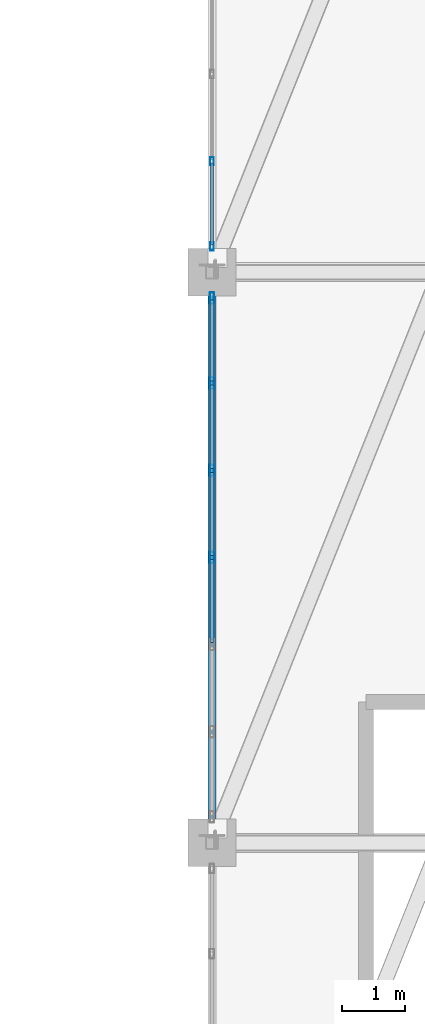
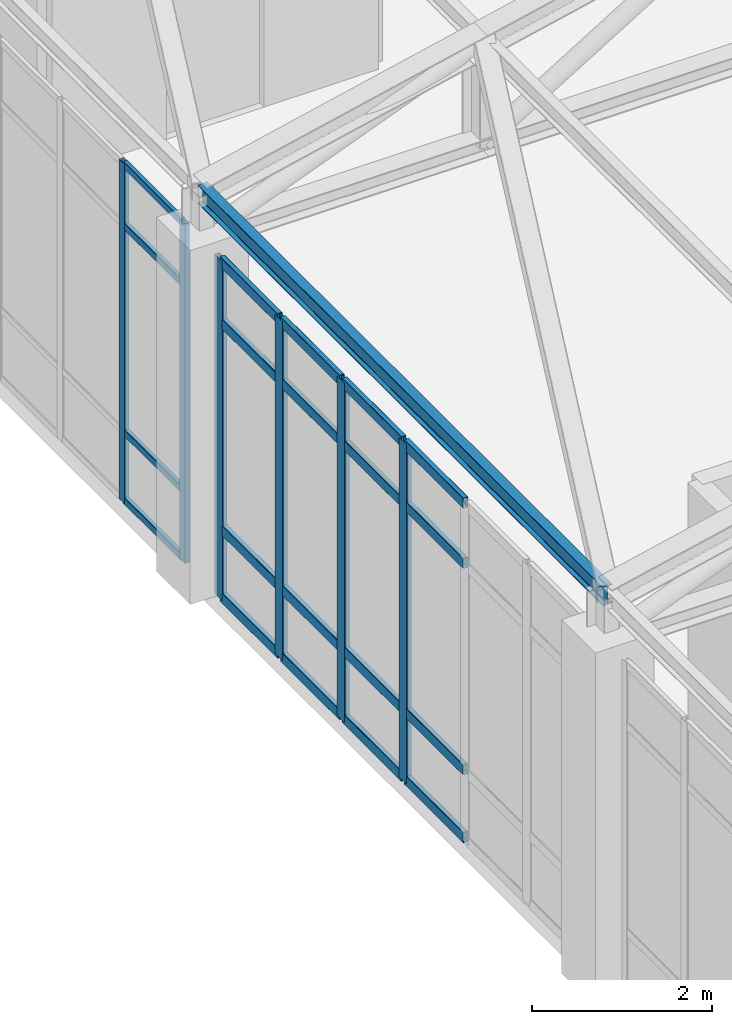
# One storey, part 18 of 139: 27 members, 2 elements without a shape of their own.
"""IFC4 building model written with IfcOpenShell, lengths in metres."""

from ifc_helpers import new_model, si_unit, direction, frame, origin, origin_2d, place, context, subcontext, project, spatial, hollow_rectangle, i_section, extrude, material, material_profile, profile_set, type_object, element, aggregate, save


model = new_model("IFC4")

# Units and contexts
model_context = context("Model", 3, precision=1e-05, world=origin(), true_north=direction((0.0, 1.0)))
body_context = subcontext(model_context, "Body", "Model", "MODEL_VIEW")
ifc_project = project(units=[si_unit("LENGTHUNIT", "METRE"), si_unit("AREAUNIT", "SQUARE_METRE"), si_unit("VOLUMEUNIT", "CUBIC_METRE"), si_unit("PLANEANGLEUNIT", "RADIAN"), si_unit("MASSUNIT", "GRAM", prefix="KILO")], contexts=[model_context])

# Site, building, storey
site_placement = place(None, origin())
site = spatial("IfcSite", under=ifc_project, at=site_placement, CompositionType="ELEMENT")
building_placement = place(site_placement, origin())
building = spatial("IfcBuilding", under=site, at=building_placement, Name="Canglan Escarpment Cableway Terminal", CompositionType="ELEMENT")
storey_placement = place(building_placement, frame((0.0, 0.0, 14.39990234375)))
storey = spatial("IfcBuildingStorey", under=building, at=storey_placement, Name="L03", CompositionType="ELEMENT", Elevation=14.39990234375)

# Curtain wall, members
ifc_material_1 = material(Name="Anodized bronze aluminium and Low-E double glazing", Category="aluminium")
curtain_wall_type = type_object("IfcCurtainWallType", Name="CW-BAY-8250x4600", PredefinedType="NOTDEFINED", material=ifc_material_1)
curtain_wall_1_placement = place(storey_placement, origin())
curtain_wall_1 = element("IfcCurtainWall", 1, at=curtain_wall_1_placement, inside=storey, type_object=curtain_wall_type, Name="Classical bay-between-piers glazed curtain wall CW-46", PredefinedType="NOTDEFINED")
ifc_material_2 = material(Name="Thermally broken anodized aluminium 6063-T6", Category="aluminium")
ifc_material_profile_1 = material_profile(ifc_material_2, hollow_rectangle(XDim=0.06005859375, YDim=0.1298828125, WallThickness=0.0029296875, InnerFilletRadius=0.0029296875, OuterFilletRadius=0.006103515625, at=origin_2d()), Name="ALU-MULL 60x130x3")
ifc_profile_set_1 = profile_set([ifc_material_profile_1], Name="Thermally broken anodized aluminium 6063-T6")
member_type_1 = type_object("IfcMemberType", Name="CWM-01", PredefinedType="MULLION", material=ifc_profile_set_1)
member_1_placement = place(storey_placement, frame((115.10009765625, 62.75, 0.0), z_axis=(0.0, 0.0, 1.0), x_axis=(1.0, 0.0, 0.0)))
member_1 = element("IfcMember", 2, at=member_1_placement, type_object=member_type_1, Name="CW-46 mullion 6", PredefinedType="MULLION", context=body_context, shape_type="SweptSolid", body=[
    extrude(hollow_rectangle(XDim=0.06005859375, YDim=0.1298828125, WallThickness=0.0029296875, InnerFilletRadius=0.0029296875, OuterFilletRadius=0.006103515625, at=origin_2d()), origin(), (0.0, 0.0, 1.0), 4.60009765625),
])
member_2_placement = place(storey_placement, frame((115.10009765625, 61.405029296875, 0.0), z_axis=(0.0, 0.0, 1.0), x_axis=(1.0, 0.0, 0.0)))
member_2 = element("IfcMember", 3, at=member_2_placement, type_object=member_type_1, Name="CW-46 mullion 7", PredefinedType="MULLION", context=body_context, shape_type="SweptSolid", body=[
    extrude(hollow_rectangle(XDim=0.06005859375, YDim=0.1298828125, WallThickness=0.0029296875, InnerFilletRadius=0.0029296875, OuterFilletRadius=0.006103515625, at=origin_2d()), origin(), (0.0, 0.0, 1.0), 4.60009765625),
])

curtain_wall_2_placement = place(storey_placement, origin())
curtain_wall_2 = element("IfcCurtainWall", 4, at=curtain_wall_2_placement, inside=storey, type_object=curtain_wall_type, Name="Classical bay-between-piers glazed curtain wall CW-46", PredefinedType="NOTDEFINED")
ifc_material_profile_2 = material_profile(ifc_material_2, hollow_rectangle(XDim=0.06494140625, YDim=0.179931640625, WallThickness=0.00390625, InnerFilletRadius=0.00390625, OuterFilletRadius=0.008056640625, at=origin_2d()), Name="ALU-MULL 65x180x4")
ifc_profile_set_2 = profile_set([ifc_material_profile_2], Name="Thermally broken anodized aluminium 6063-T6")
member_type_2 = type_object("IfcMemberType", Name="CWM-03", PredefinedType="MULLION", material=ifc_profile_set_2)
member_3_placement = place(storey_placement, frame((115.10009765625, 60.592529296875, 0.0), z_axis=(0.0, 0.0, 1.0), x_axis=(1.0, 0.0, 0.0)))
member_3 = element("IfcMember", 5, at=member_3_placement, type_object=member_type_2, Name="CW-46 mullion 1", PredefinedType="MULLION", context=body_context, shape_type="SweptSolid", body=[
    extrude(hollow_rectangle(XDim=0.06494140625, YDim=0.179931640625, WallThickness=0.00390625, InnerFilletRadius=0.00390625, OuterFilletRadius=0.008056640625, at=origin_2d()), origin(), (0.0, 0.0, 1.0), 4.60009765625),
])
member_4_placement = place(storey_placement, frame((115.10009765625, 59.25, 0.0), z_axis=(0.0, 0.0, 1.0), x_axis=(1.0, 0.0, 0.0)))
member_4 = element("IfcMember", 6, at=member_4_placement, type_object=member_type_2, Name="CW-46 mullion 2", PredefinedType="MULLION", context=body_context, shape_type="SweptSolid", body=[
    extrude(hollow_rectangle(XDim=0.06494140625, YDim=0.179931640625, WallThickness=0.00390625, InnerFilletRadius=0.00390625, OuterFilletRadius=0.008056640625, at=origin_2d()), origin(), (0.0, 0.0, 1.0), 4.60009765625),
])
member_5_placement = place(storey_placement, frame((115.10009765625, 57.875, 0.0), z_axis=(0.0, 0.0, 1.0), x_axis=(1.0, 0.0, 0.0)))
member_5 = element("IfcMember", 7, at=member_5_placement, type_object=member_type_2, Name="CW-46 mullion 3", PredefinedType="MULLION", context=body_context, shape_type="SweptSolid", body=[
    extrude(hollow_rectangle(XDim=0.06494140625, YDim=0.179931640625, WallThickness=0.00390625, InnerFilletRadius=0.00390625, OuterFilletRadius=0.008056640625, at=origin_2d()), origin(), (0.0, 0.0, 1.0), 4.60009765625),
])
member_6_placement = place(storey_placement, frame((115.10009765625, 56.5, 0.0), z_axis=(0.0, 0.0, 1.0), x_axis=(1.0, 0.0, 0.0)))
member_6 = element("IfcMember", 8, at=member_6_placement, type_object=member_type_2, Name="CW-46 mullion 4", PredefinedType="MULLION", context=body_context, shape_type="SweptSolid", body=[
    extrude(hollow_rectangle(XDim=0.06494140625, YDim=0.179931640625, WallThickness=0.00390625, InnerFilletRadius=0.00390625, OuterFilletRadius=0.008056640625, at=origin_2d()), origin(), (0.0, 0.0, 1.0), 4.60009765625),
])

# Member
ifc_material_profile_3 = material_profile(ifc_material_2, hollow_rectangle(XDim=0.054931640625, YDim=0.094970703125, WallThickness=0.0029296875, InnerFilletRadius=0.0029296875, OuterFilletRadius=0.006103515625, at=origin_2d()), Name="ALU-TRAN 55x95x3")
ifc_profile_set_3 = profile_set([ifc_material_profile_3], Name="Thermally broken anodized aluminium 6063-T6")
member_type_3 = type_object("IfcMemberType", Name="CWT-01", PredefinedType="USERDEFINED", material=ifc_profile_set_3)
member_7_placement = place(storey_placement, frame((115.10009765625, 62.719970703125, 0.027587890625), z_axis=(0.0, -1.0, 0.0), x_axis=(1.0, 0.0, 0.0)))
member_7 = element("IfcMember", 9, at=member_7_placement, type_object=member_type_3, Name="CW-46 transom 6.1", ObjectType="TRANSOM", PredefinedType="USERDEFINED", context=body_context, shape_type="SweptSolid", body=[
    extrude(hollow_rectangle(XDim=0.054931640625, YDim=0.094970703125, WallThickness=0.0029296875, InnerFilletRadius=0.0029296875, OuterFilletRadius=0.006103515625, at=origin_2d()), origin(), (0.0, 0.0, 1.0), 1.284912109375),
])

member_8_placement = place(storey_placement, frame((115.10009765625, 62.719970703125, 0.9501953125), z_axis=(0.0, -1.0, 0.0), x_axis=(1.0, 0.0, 0.0)))
member_8 = element("IfcMember", 10, at=member_8_placement, type_object=member_type_3, Name="CW-46 transom 6.2", ObjectType="TRANSOM", PredefinedType="USERDEFINED", context=body_context, shape_type="SweptSolid", body=[
    extrude(hollow_rectangle(XDim=0.054931640625, YDim=0.094970703125, WallThickness=0.0029296875, InnerFilletRadius=0.0029296875, OuterFilletRadius=0.006103515625, at=origin_2d()), origin(), (0.0, 0.0, 1.0), 1.284912109375),
])

member_9_placement = place(storey_placement, frame((115.10009765625, 62.719970703125, 3.75), z_axis=(0.0, -1.0, 0.0), x_axis=(1.0, 0.0, 0.0)))
member_9 = element("IfcMember", 11, at=member_9_placement, type_object=member_type_3, Name="CW-46 transom 6.3", ObjectType="TRANSOM", PredefinedType="USERDEFINED", context=body_context, shape_type="SweptSolid", body=[
    extrude(hollow_rectangle(XDim=0.054931640625, YDim=0.094970703125, WallThickness=0.0029296875, InnerFilletRadius=0.0029296875, OuterFilletRadius=0.006103515625, at=origin_2d()), origin(), (0.0, 0.0, 1.0), 1.284912109375),
])

member_10_placement = place(storey_placement, frame((115.10009765625, 62.719970703125, 4.572509765625), z_axis=(0.0, -1.0, 0.0), x_axis=(1.0, 0.0, 0.0)))
member_10 = element("IfcMember", 12, at=member_10_placement, type_object=member_type_3, Name="CW-46 transom 6.4", ObjectType="TRANSOM", PredefinedType="USERDEFINED", context=body_context, shape_type="SweptSolid", body=[
    extrude(hollow_rectangle(XDim=0.054931640625, YDim=0.094970703125, WallThickness=0.0029296875, InnerFilletRadius=0.0029296875, OuterFilletRadius=0.006103515625, at=origin_2d()), origin(), (0.0, 0.0, 1.0), 1.284912109375),
])

aggregate(curtain_wall_1, [member_1, member_2, member_7, member_8, member_9, member_10])

ifc_material_profile_4 = material_profile(ifc_material_2, hollow_rectangle(XDim=0.06494140625, YDim=0.139892578125, WallThickness=0.00341796875, InnerFilletRadius=0.00341796875, OuterFilletRadius=0.007080078125, at=origin_2d()), Name="ALU-TRAN 65x140x3.5")
ifc_profile_set_4 = profile_set([ifc_material_profile_4], Name="Thermally broken anodized aluminium 6063-T6")
member_type_4 = type_object("IfcMemberType", Name="CWT-03", PredefinedType="USERDEFINED", material=ifc_profile_set_4)
member_11_placement = place(storey_placement, frame((115.10009765625, 60.56005859375, 0.03271484375), z_axis=(0.0, -1.0, 0.0), x_axis=(1.0, 0.0, 0.0)))
member_11 = element("IfcMember", 13, at=member_11_placement, type_object=member_type_4, Name="CW-46 transom 1.1", ObjectType="TRANSOM", PredefinedType="USERDEFINED", context=body_context, shape_type="SweptSolid", body=[
    extrude(hollow_rectangle(XDim=0.06494140625, YDim=0.139892578125, WallThickness=0.00341796875, InnerFilletRadius=0.00341796875, OuterFilletRadius=0.007080078125, at=origin_2d()), origin(), (0.0, 0.0, 1.0), 1.277587890625),
])

member_12_placement = place(storey_placement, frame((115.10009765625, 60.56005859375, 0.9501953125), z_axis=(0.0, -1.0, 0.0), x_axis=(1.0, 0.0, 0.0)))
member_12 = element("IfcMember", 14, at=member_12_placement, type_object=member_type_4, Name="CW-46 transom 1.2", ObjectType="TRANSOM", PredefinedType="USERDEFINED", context=body_context, shape_type="SweptSolid", body=[
    extrude(hollow_rectangle(XDim=0.06494140625, YDim=0.139892578125, WallThickness=0.00341796875, InnerFilletRadius=0.00341796875, OuterFilletRadius=0.007080078125, at=origin_2d()), origin(), (0.0, 0.0, 1.0), 1.277587890625),
])

member_13_placement = place(storey_placement, frame((115.10009765625, 60.56005859375, 3.75), z_axis=(0.0, -1.0, 0.0), x_axis=(1.0, 0.0, 0.0)))
member_13 = element("IfcMember", 15, at=member_13_placement, type_object=member_type_4, Name="CW-46 transom 1.3", ObjectType="TRANSOM", PredefinedType="USERDEFINED", context=body_context, shape_type="SweptSolid", body=[
    extrude(hollow_rectangle(XDim=0.06494140625, YDim=0.139892578125, WallThickness=0.00341796875, InnerFilletRadius=0.00341796875, OuterFilletRadius=0.007080078125, at=origin_2d()), origin(), (0.0, 0.0, 1.0), 1.277587890625),
])

member_14_placement = place(storey_placement, frame((115.10009765625, 60.56005859375, 4.567626953125), z_axis=(0.0, -1.0, 0.0), x_axis=(1.0, 0.0, 0.0)))
member_14 = element("IfcMember", 16, at=member_14_placement, type_object=member_type_4, Name="CW-46 transom 1.4", ObjectType="TRANSOM", PredefinedType="USERDEFINED", context=body_context, shape_type="SweptSolid", body=[
    extrude(hollow_rectangle(XDim=0.06494140625, YDim=0.139892578125, WallThickness=0.00341796875, InnerFilletRadius=0.00341796875, OuterFilletRadius=0.007080078125, at=origin_2d()), origin(), (0.0, 0.0, 1.0), 1.277587890625),
])

member_15_placement = place(storey_placement, frame((115.10009765625, 59.217529296875, 0.03271484375), z_axis=(0.0, -1.0, 0.0), x_axis=(1.0, 0.0, 0.0)))
member_15 = element("IfcMember", 17, at=member_15_placement, type_object=member_type_4, Name="CW-46 transom 2.1", ObjectType="TRANSOM", PredefinedType="USERDEFINED", context=body_context, shape_type="SweptSolid", body=[
    extrude(hollow_rectangle(XDim=0.06494140625, YDim=0.139892578125, WallThickness=0.00341796875, InnerFilletRadius=0.00341796875, OuterFilletRadius=0.007080078125, at=origin_2d()), origin(), (0.0, 0.0, 1.0), 1.31005859375),
])

member_16_placement = place(storey_placement, frame((115.10009765625, 59.217529296875, 0.9501953125), z_axis=(0.0, -1.0, 0.0), x_axis=(1.0, 0.0, 0.0)))
member_16 = element("IfcMember", 18, at=member_16_placement, type_object=member_type_4, Name="CW-46 transom 2.2", ObjectType="TRANSOM", PredefinedType="USERDEFINED", context=body_context, shape_type="SweptSolid", body=[
    extrude(hollow_rectangle(XDim=0.06494140625, YDim=0.139892578125, WallThickness=0.00341796875, InnerFilletRadius=0.00341796875, OuterFilletRadius=0.007080078125, at=origin_2d()), origin(), (0.0, 0.0, 1.0), 1.31005859375),
])

member_17_placement = place(storey_placement, frame((115.10009765625, 59.217529296875, 3.75), z_axis=(0.0, -1.0, 0.0), x_axis=(1.0, 0.0, 0.0)))
member_17 = element("IfcMember", 19, at=member_17_placement, type_object=member_type_4, Name="CW-46 transom 2.3", ObjectType="TRANSOM", PredefinedType="USERDEFINED", context=body_context, shape_type="SweptSolid", body=[
    extrude(hollow_rectangle(XDim=0.06494140625, YDim=0.139892578125, WallThickness=0.00341796875, InnerFilletRadius=0.00341796875, OuterFilletRadius=0.007080078125, at=origin_2d()), origin(), (0.0, 0.0, 1.0), 1.31005859375),
])

member_18_placement = place(storey_placement, frame((115.10009765625, 59.217529296875, 4.567626953125), z_axis=(0.0, -1.0, 0.0), x_axis=(1.0, 0.0, 0.0)))
member_18 = element("IfcMember", 20, at=member_18_placement, type_object=member_type_4, Name="CW-46 transom 2.4", ObjectType="TRANSOM", PredefinedType="USERDEFINED", context=body_context, shape_type="SweptSolid", body=[
    extrude(hollow_rectangle(XDim=0.06494140625, YDim=0.139892578125, WallThickness=0.00341796875, InnerFilletRadius=0.00341796875, OuterFilletRadius=0.007080078125, at=origin_2d()), origin(), (0.0, 0.0, 1.0), 1.31005859375),
])

member_19_placement = place(storey_placement, frame((115.10009765625, 57.842529296875, 0.03271484375), z_axis=(0.0, -1.0, 0.0), x_axis=(1.0, 0.0, 0.0)))
member_19 = element("IfcMember", 21, at=member_19_placement, type_object=member_type_4, Name="CW-46 transom 3.1", ObjectType="TRANSOM", PredefinedType="USERDEFINED", context=body_context, shape_type="SweptSolid", body=[
    extrude(hollow_rectangle(XDim=0.06494140625, YDim=0.139892578125, WallThickness=0.00341796875, InnerFilletRadius=0.00341796875, OuterFilletRadius=0.007080078125, at=origin_2d()), origin(), (0.0, 0.0, 1.0), 1.31005859375),
])

member_20_placement = place(storey_placement, frame((115.10009765625, 57.842529296875, 0.9501953125), z_axis=(0.0, -1.0, 0.0), x_axis=(1.0, 0.0, 0.0)))
member_20 = element("IfcMember", 22, at=member_20_placement, type_object=member_type_4, Name="CW-46 transom 3.2", ObjectType="TRANSOM", PredefinedType="USERDEFINED", context=body_context, shape_type="SweptSolid", body=[
    extrude(hollow_rectangle(XDim=0.06494140625, YDim=0.139892578125, WallThickness=0.00341796875, InnerFilletRadius=0.00341796875, OuterFilletRadius=0.007080078125, at=origin_2d()), origin(), (0.0, 0.0, 1.0), 1.31005859375),
])

member_21_placement = place(storey_placement, frame((115.10009765625, 57.842529296875, 3.75), z_axis=(0.0, -1.0, 0.0), x_axis=(1.0, 0.0, 0.0)))
member_21 = element("IfcMember", 23, at=member_21_placement, type_object=member_type_4, Name="CW-46 transom 3.3", ObjectType="TRANSOM", PredefinedType="USERDEFINED", context=body_context, shape_type="SweptSolid", body=[
    extrude(hollow_rectangle(XDim=0.06494140625, YDim=0.139892578125, WallThickness=0.00341796875, InnerFilletRadius=0.00341796875, OuterFilletRadius=0.007080078125, at=origin_2d()), origin(), (0.0, 0.0, 1.0), 1.31005859375),
])

member_22_placement = place(storey_placement, frame((115.10009765625, 57.842529296875, 4.567626953125), z_axis=(0.0, -1.0, 0.0), x_axis=(1.0, 0.0, 0.0)))
member_22 = element("IfcMember", 24, at=member_22_placement, type_object=member_type_4, Name="CW-46 transom 3.4", ObjectType="TRANSOM", PredefinedType="USERDEFINED", context=body_context, shape_type="SweptSolid", body=[
    extrude(hollow_rectangle(XDim=0.06494140625, YDim=0.139892578125, WallThickness=0.00341796875, InnerFilletRadius=0.00341796875, OuterFilletRadius=0.007080078125, at=origin_2d()), origin(), (0.0, 0.0, 1.0), 1.31005859375),
])

member_23_placement = place(storey_placement, frame((115.10009765625, 56.467529296875, 0.03271484375), z_axis=(0.0, -1.0, 0.0), x_axis=(1.0, 0.0, 0.0)))
member_23 = element("IfcMember", 25, at=member_23_placement, type_object=member_type_4, Name="CW-46 transom 4.1", ObjectType="TRANSOM", PredefinedType="USERDEFINED", context=body_context, shape_type="SweptSolid", body=[
    extrude(hollow_rectangle(XDim=0.06494140625, YDim=0.139892578125, WallThickness=0.00341796875, InnerFilletRadius=0.00341796875, OuterFilletRadius=0.007080078125, at=origin_2d()), origin(), (0.0, 0.0, 1.0), 1.31005859375),
])

member_24_placement = place(storey_placement, frame((115.10009765625, 56.467529296875, 0.9501953125), z_axis=(0.0, -1.0, 0.0), x_axis=(1.0, 0.0, 0.0)))
member_24 = element("IfcMember", 26, at=member_24_placement, type_object=member_type_4, Name="CW-46 transom 4.2", ObjectType="TRANSOM", PredefinedType="USERDEFINED", context=body_context, shape_type="SweptSolid", body=[
    extrude(hollow_rectangle(XDim=0.06494140625, YDim=0.139892578125, WallThickness=0.00341796875, InnerFilletRadius=0.00341796875, OuterFilletRadius=0.007080078125, at=origin_2d()), origin(), (0.0, 0.0, 1.0), 1.31005859375),
])

member_25_placement = place(storey_placement, frame((115.10009765625, 56.467529296875, 3.75), z_axis=(0.0, -1.0, 0.0), x_axis=(1.0, 0.0, 0.0)))
member_25 = element("IfcMember", 27, at=member_25_placement, type_object=member_type_4, Name="CW-46 transom 4.3", ObjectType="TRANSOM", PredefinedType="USERDEFINED", context=body_context, shape_type="SweptSolid", body=[
    extrude(hollow_rectangle(XDim=0.06494140625, YDim=0.139892578125, WallThickness=0.00341796875, InnerFilletRadius=0.00341796875, OuterFilletRadius=0.007080078125, at=origin_2d()), origin(), (0.0, 0.0, 1.0), 1.31005859375),
])

member_26_placement = place(storey_placement, frame((115.10009765625, 56.467529296875, 4.567626953125), z_axis=(0.0, -1.0, 0.0), x_axis=(1.0, 0.0, 0.0)))
member_26 = element("IfcMember", 28, at=member_26_placement, type_object=member_type_4, Name="CW-46 transom 4.4", ObjectType="TRANSOM", PredefinedType="USERDEFINED", context=body_context, shape_type="SweptSolid", body=[
    extrude(hollow_rectangle(XDim=0.06494140625, YDim=0.139892578125, WallThickness=0.00341796875, InnerFilletRadius=0.00341796875, OuterFilletRadius=0.007080078125, at=origin_2d()), origin(), (0.0, 0.0, 1.0), 1.31005859375),
])

aggregate(curtain_wall_2, [member_3, member_4, member_5, member_6, member_11, member_12, member_13, member_14, member_15, member_16, member_17, member_18, member_19, member_20, member_21, member_22, member_23, member_24, member_25, member_26])

ifc_material_3 = material(Name="Steel Q355B", Category="steel")
ifc_material_profile_5 = material_profile(ifc_material_3, i_section(OverallWidth=0.125, OverallDepth=0.25, WebThickness=0.006103515625, FlangeThickness=0.009033203125, FilletRadius=0.011962890625, at=origin_2d()), Name="HN 250x125x6x9")
ifc_profile_set_5 = profile_set([ifc_material_profile_5], Name="Steel Q355B")
member_type_5 = type_object("IfcMemberType", Name="MB-GARAGE-PUR-HN250", PredefinedType="PURLIN", material=ifc_profile_set_5)
member_27_placement = place(storey_placement, frame((115.10009765625, 52.0, 5.22998046875), z_axis=(0.0, 1.0, 0.0), x_axis=(-1.0, 0.0, 0.0)))
element("IfcMember", 29, at=member_27_placement, inside=storey, type_object=member_type_5, Name="Cabin Garage roof purlin PR-02", PredefinedType="PURLIN", context=body_context, shape_type="SweptSolid", body=[
    extrude(i_section(OverallWidth=0.125, OverallDepth=0.25, WebThickness=0.006103515625, FlangeThickness=0.009033203125, FilletRadius=0.011962890625, at=origin_2d()), origin(), (0.0, 0.0, 1.0), 9.0),
])

save(model, "model.ifc")
